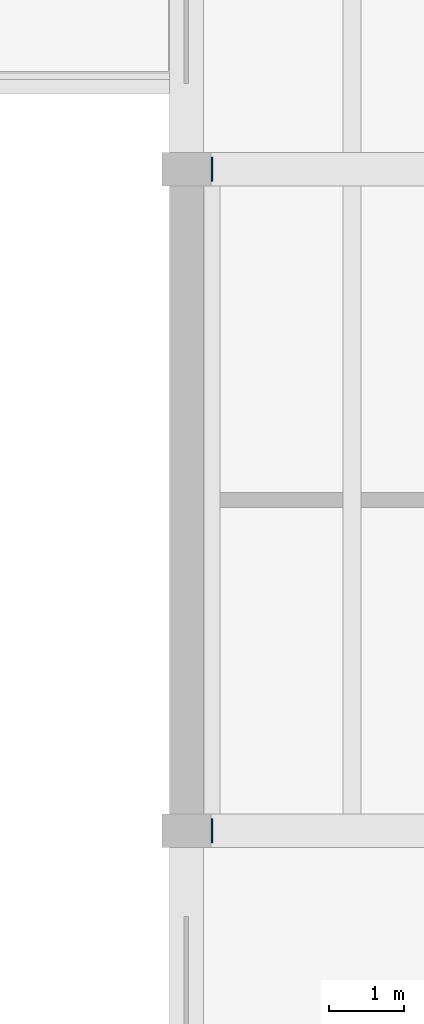
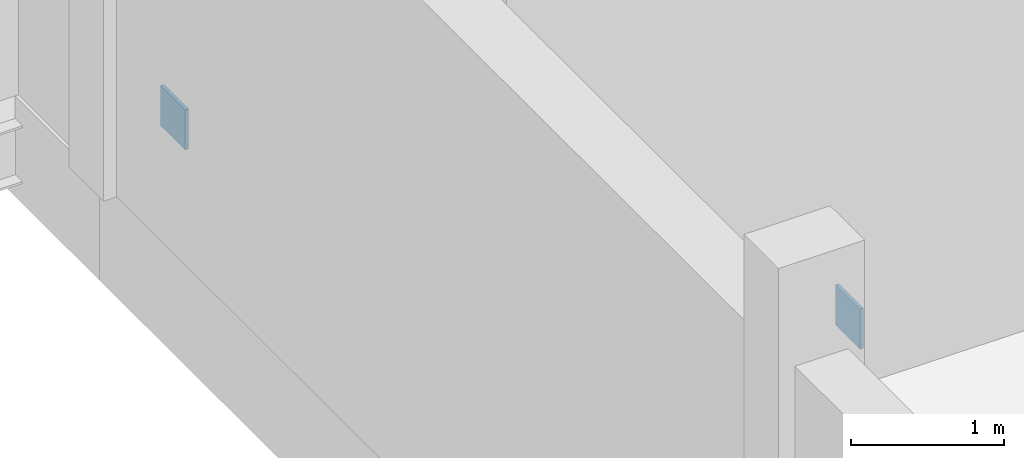
# One storey, part 43 of 76: 2 plates.
"""IFC4 building model written with IfcOpenShell, lengths in metres."""

from ifc_helpers import new_model, si_unit, direction, frame, origin, origin_2d, place, context, subcontext, project, spatial, rectangle, extrude, material, layer, layer_set, type_object, element, save


model = new_model("IFC4")

# Units and contexts
model_context = context("Model", 3, precision=1e-05, world=origin(), true_north=direction((0.0, 1.0)))
body_context = subcontext(model_context, "Body", "Model", "MODEL_VIEW")
ifc_project = project(units=[si_unit("LENGTHUNIT", "METRE"), si_unit("AREAUNIT", "SQUARE_METRE"), si_unit("VOLUMEUNIT", "CUBIC_METRE"), si_unit("PLANEANGLEUNIT", "RADIAN"), si_unit("MASSUNIT", "GRAM", prefix="KILO")], contexts=[model_context])

# Site, building, storey
site_placement = place(None, origin())
site = spatial("IfcSite", under=ifc_project, at=site_placement, CompositionType="ELEMENT")
building_placement = place(site_placement, origin())
building = spatial("IfcBuilding", under=site, at=building_placement, Name="Dornvale Research Institute", CompositionType="ELEMENT")
storey_placement = place(building_placement, frame((0.0, 0.0, 15.0)))
storey = spatial("IfcBuildingStorey", under=building, at=storey_placement, Name="L03", CompositionType="ELEMENT", Elevation=15.0)

# Plates
ifc_material = material(Name="Steel ASTM A572 Grade 50", Category="steel")
ifc_layer = layer(ifc_material, 0.02490234375)
ifc_layer_set = layer_set([ifc_layer], Name="Steel ASTM A572 Grade 50")
plate_type = type_object("IfcPlateType", Name="SheetPlate_EndCap_25", PredefinedType="SHEET", material=ifc_layer_set)
for number, where, z_axis, x_axis, name in (
    (1, (99.340087890625, 17.60009765625, 0.14013671875), (0.0, 0.0, 1.0), (0.0, 1.0, 0.0), "HSS brace node gusset and cap plate ND-057"),
    (2, (99.340087890625, 8.800048828125, 3.89013671875), (0.0, 0.0, 1.0), (0.0, 1.0, 0.0), "HSS brace node gusset and cap plate ND-058"),
):
    element("IfcPlate", number, at=place(storey_placement, frame(where, z_axis=z_axis, x_axis=x_axis)), inside=storey, type_object=plate_type, Name=name, PredefinedType="SHEET", context=body_context, shape_type="SweptSolid", body=[
        extrude(rectangle(XDim=0.320068359375, YDim=0.02490234375, at=origin_2d()), origin(), (0.0, 0.0, 1.0), 0.320068359375),
    ])

save(model, "model.ifc")
